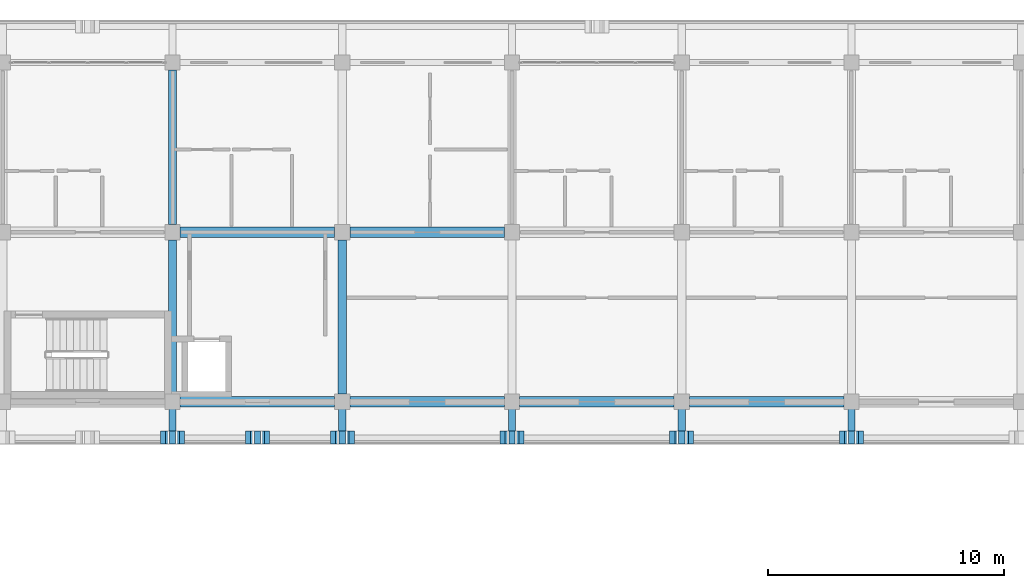
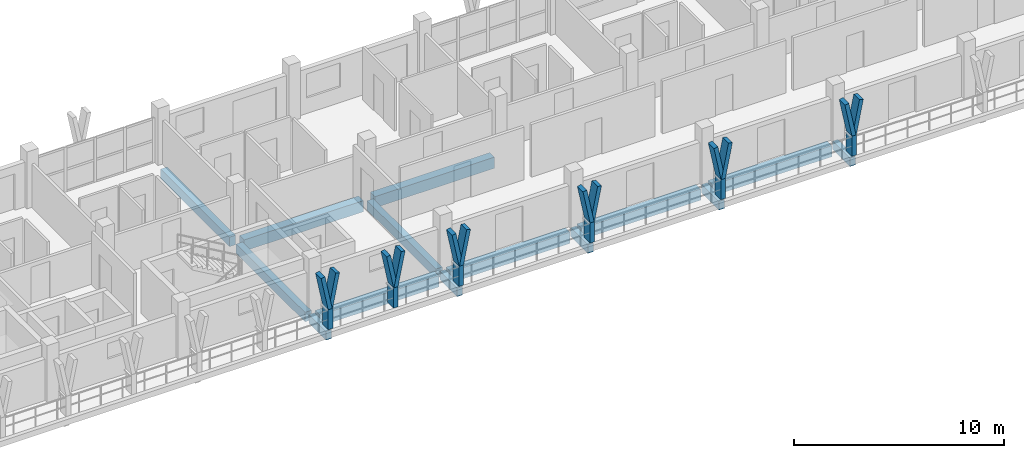
# One storey, part 17 of 75: 18 members, 14 beams.
"""IFC4 building model written with IfcOpenShell, lengths in metres."""

from ifc_helpers import new_model, si_unit, direction, frame, origin, origin_2d, place, context, subcontext, project, spatial, rectangle, extrude, material, material_profile, profile_set, type_object, element, save


model = new_model("IFC4")

# Units and contexts
model_context = context("Model", 3, precision=1e-05, world=origin(), true_north=direction((0.0, 1.0)))
body_context = subcontext(model_context, "Body", "Model", "MODEL_VIEW")
ifc_project = project(units=[si_unit("LENGTHUNIT", "METRE"), si_unit("AREAUNIT", "SQUARE_METRE"), si_unit("VOLUMEUNIT", "CUBIC_METRE"), si_unit("PLANEANGLEUNIT", "RADIAN"), si_unit("MASSUNIT", "GRAM", prefix="KILO")], contexts=[model_context])

# Site, building, storey
site_placement = place(None, origin())
site = spatial("IfcSite", under=ifc_project, at=site_placement, CompositionType="ELEMENT")
building_placement = place(site_placement, origin())
building = spatial("IfcBuilding", under=site, at=building_placement, Name="Suanplinth Sawtooth Commons", CompositionType="ELEMENT")
storey_placement = place(building_placement, frame((0.0, 0.0, 18.60009765625)))
storey = spatial("IfcBuildingStorey", under=building, at=storey_placement, Name="L05", CompositionType="ELEMENT", Elevation=18.60009765625)

# Beams
ifc_material_1 = material(Name="Precast concrete C40/50", Category="concrete")
ifc_material_profile_1 = material_profile(ifc_material_1, rectangle(XDim=0.449951171875, YDim=0.64990234375, at=origin_2d()), Name="PC-GDR 450x650")
ifc_profile_set_1 = profile_set([ifc_material_profile_1], Name="Precast concrete C40/50")
beam_type_1 = type_object("IfcBeamType", Name="B-04", PredefinedType="USERDEFINED", material=ifc_profile_set_1)
for number, where, z_axis, x_axis, name in (
    (1, (65.125, 108.0, -0.5751953125), (1.0, 0.0, 0.0), (0.0, 1.0, 0.0), "BMX-L05-A-9-15"),
    (2, (65.125, 115.199951171875, -0.5751953125), (1.0, 0.0, 0.0), (0.0, 1.0, 0.0), "BMX-L05-A-9-16"),
    (3, (72.324951171875, 108.0, -0.5751953125), (1.0, 0.0, 0.0), (0.0, 1.0, 0.0), "BMX-L05-A-10-15"),
    (4, (72.324951171875, 115.199951171875, -0.5751953125), (1.0, 0.0, 0.0), (0.0, 1.0, 0.0), "BMX-L05-A-10-16"),
    (5, (79.52490234375, 108.0, -0.5751953125), (1.0, 0.0, 0.0), (0.0, 1.0, 0.0), "BMX-L05-A-11-15"),
):
    element("IfcBeam", number, at=place(storey_placement, frame(where, z_axis=z_axis, x_axis=x_axis)), inside=storey, type_object=beam_type_1, Name=name, ObjectType="GIRDER", PredefinedType="USERDEFINED", context=body_context, shape_type="SweptSolid", body=[
        extrude(rectangle(XDim=0.449951171875, YDim=0.64990234375, at=origin_2d()), origin(), (0.0, 0.0, 1.0), 6.550048828125),
    ])
beam_placement = place(storey_placement, frame((86.72509765625, 108.0, -0.5751953125), z_axis=(1.0, 0.0, 0.0), x_axis=(0.0, 1.0, 0.0)))
element("IfcBeam", 6, at=beam_placement, inside=storey, type_object=beam_type_1, Name="BMX-L05-A-12-15", ObjectType="GIRDER", PredefinedType="USERDEFINED", context=body_context, shape_type="SweptSolid", body=[
    extrude(rectangle(XDim=0.449951171875, YDim=0.64990234375, at=origin_2d()), origin(), (0.0, 0.0, 1.0), 6.5498046875),
])
ifc_material_profile_2 = material_profile(ifc_material_1, rectangle(XDim=0.35009765625, YDim=0.550048828125, at=origin_2d()), Name="PC-BM 350x550")
ifc_profile_set_2 = profile_set([ifc_material_profile_2], Name="Precast concrete C40/50")
beam_type_2 = type_object("IfcBeamType", Name="B-06", PredefinedType="BEAM", material=ifc_profile_set_2)
for number, where, z_axis, x_axis, name in (
    (7, (64.800048828125, 108.324951171875, -0.525146484375), (0.0, 1.0, 0.0), (-1.0, 0.0, 0.0), "BMY-L05-A-9-15"),
    (8, (64.800048828125, 115.52490234375, -0.525146484375), (0.0, 1.0, 0.0), (-1.0, 0.0, 0.0), "BMY-L05-A-9-16"),
    (9, (72.0, 108.324951171875, -0.525146484375), (0.0, 1.0, 0.0), (-1.0, 0.0, 0.0), "BMY-L05-A-10-15"),
):
    element("IfcBeam", number, at=place(storey_placement, frame(where, z_axis=z_axis, x_axis=x_axis)), inside=storey, type_object=beam_type_2, Name=name, PredefinedType="BEAM", context=body_context, shape_type="SweptSolid", body=[
        extrude(rectangle(XDim=0.35009765625, YDim=0.550048828125, at=origin_2d()), origin(), (0.0, 0.0, 1.0), 6.550048828125),
    ])
ifc_material_profile_3 = material_profile(ifc_material_1, rectangle(XDim=0.300048828125, YDim=0.5, at=origin_2d()), Name="PC-BM 300x500")
ifc_profile_set_3 = profile_set([ifc_material_profile_3], Name="Precast concrete C40/50")
beam_type_3 = type_object("IfcBeamType", Name="B-07", PredefinedType="BEAM", material=ifc_profile_set_3)
for number, where, z_axis, x_axis, name in (
    (10, (64.800048828125, 108.0, -0.43017578125), (0.0, -1.0, 0.0), (1.0, 0.0, 0.0), "Balcony Outrigger L05-A-S-9"),
    (11, (72.0, 108.0, -0.43017578125), (0.0, -1.0, 0.0), (1.0, 0.0, 0.0), "Balcony Outrigger L05-A-S-10"),
    (12, (79.199951171875, 108.0, -0.43017578125), (0.0, -1.0, 0.0), (1.0, 0.0, 0.0), "Balcony Outrigger L05-A-S-11"),
    (13, (86.39990234375, 108.0, -0.43017578125), (0.0, -1.0, 0.0), (1.0, 0.0, 0.0), "Balcony Outrigger L05-A-S-12"),
    (14, (93.60009765625, 108.0, -0.43017578125), (0.0, -1.0, 0.0), (1.0, 0.0, 0.0), "Balcony Outrigger L05-A-S-13"),
):
    element("IfcBeam", number, at=place(storey_placement, frame(where, z_axis=z_axis, x_axis=x_axis)), inside=storey, type_object=beam_type_3, Name=name, PredefinedType="BEAM", context=body_context, shape_type="SweptSolid", body=[
        extrude(rectangle(XDim=0.300048828125, YDim=0.5, at=origin_2d()), origin(), (0.0, 0.0, 1.0), 1.639892578125),
    ])

# Members
ifc_material_2 = material(Name="Pigmented precast concrete C40/50", Category="concrete")
ifc_material_profile_4 = material_profile(ifc_material_2, rectangle(XDim=0.260009765625, YDim=0.550048828125, at=origin_2d()), Name="PC-FIN 260x550")
ifc_profile_set_4 = profile_set([ifc_material_profile_4], Name="Pigmented precast concrete C40/50")
member_type_1 = type_object("IfcMemberType", Name="M-09", PredefinedType="USERDEFINED", material=ifc_profile_set_4)
for number, where, z_axis, x_axis, name in (
    (15, (64.800048828125, 106.47998046875, 0.0), (0.0, 0.0, 1.0), (1.0, 0.0, 0.0), "Y-Blade Stem L05-A-S-17"),
    (16, (68.39990234375, 106.47998046875, 0.0), (0.0, 0.0, 1.0), (1.0, 0.0, 0.0), "Y-Blade Stem L05-A-S-18"),
    (17, (72.0, 106.47998046875, 0.0), (0.0, 0.0, 1.0), (1.0, 0.0, 0.0), "Y-Blade Stem L05-A-S-19"),
    (18, (79.199951171875, 106.47998046875, 0.0), (0.0, 0.0, 1.0), (1.0, 0.0, 0.0), "Y-Blade Stem L05-A-S-20"),
    (19, (86.39990234375, 106.47998046875, 0.0), (0.0, 0.0, 1.0), (1.0, 0.0, 0.0), "Y-Blade Stem L05-A-S-21"),
    (20, (93.60009765625, 106.47998046875, 0.0), (0.0, 0.0, 1.0), (1.0, 0.0, 0.0), "Y-Blade Stem L05-A-S-22"),
):
    element("IfcMember", number, at=place(storey_placement, frame(where, z_axis=z_axis, x_axis=x_axis)), inside=storey, type_object=member_type_1, Name=name, ObjectType="SHADING FIN", PredefinedType="USERDEFINED", context=body_context, shape_type="SweptSolid", body=[
        extrude(rectangle(XDim=0.260009765625, YDim=0.550048828125, at=origin_2d()), origin(), (0.0, 0.0, 1.0), 1.169921875),
    ])
ifc_material_profile_5 = material_profile(ifc_material_2, rectangle(XDim=0.219970703125, YDim=0.550048828125, at=origin_2d()), Name="PC-FIN 220x550")
ifc_profile_set_5 = profile_set([ifc_material_profile_5], Name="Pigmented precast concrete C40/50")
member_type_2 = type_object("IfcMemberType", Name="M-10", PredefinedType="USERDEFINED", material=ifc_profile_set_5)
for number, where, z_axis, x_axis, name in (
    (21, (64.800048828125, 106.47998046875, 1.1298828125), (-0.196530428008, 0.0, 0.98049772609), (0.98049772609, 0.0, 0.196530428008), "Y-Blade Arm L L05-A-S-17"),
    (22, (64.800048828125, 106.47998046875, 1.1298828125), (0.196415357203, 0.0, 0.980520783795), (-0.980520783795, 0.0, 0.196415357203), "Y-Blade Arm R L05-A-S-17"),
    (23, (68.39990234375, 106.47998046875, 1.1298828125), (-0.196415357203, 0.0, 0.980520783795), (0.980520783795, 0.0, 0.196415357203), "Y-Blade Arm L L05-A-S-18"),
    (24, (68.39990234375, 106.47998046875, 1.1298828125), (0.196530428008, 0.0, 0.98049772609), (-0.98049772609, 0.0, 0.196530428008), "Y-Blade Arm R L05-A-S-18"),
    (25, (72.0, 106.47998046875, 1.1298828125), (-0.196530428008, 0.0, 0.98049772609), (0.98049772609, 0.0, 0.196530428008), "Y-Blade Arm L L05-A-S-19"),
    (26, (72.0, 106.47998046875, 1.1298828125), (0.196530428008, 0.0, 0.98049772609), (-0.98049772609, 0.0, 0.196530428008), "Y-Blade Arm R L05-A-S-19"),
    (27, (79.199951171875, 106.47998046875, 1.1298828125), (-0.196415357203, 0.0, 0.980520783795), (0.980520783795, 0.0, 0.196415357203), "Y-Blade Arm L L05-A-S-20"),
    (28, (79.199951171875, 106.47998046875, 1.1298828125), (0.196530428008, 0.0, 0.98049772609), (-0.98049772609, 0.0, 0.196530428008), "Y-Blade Arm R L05-A-S-20"),
    (29, (86.39990234375, 106.47998046875, 1.1298828125), (-0.196415357203, 0.0, 0.980520783795), (0.980520783795, 0.0, 0.196415357203), "Y-Blade Arm L L05-A-S-21"),
    (30, (86.39990234375, 106.47998046875, 1.1298828125), (0.196530428008, 0.0, 0.98049772609), (-0.98049772609, 0.0, 0.196530428008), "Y-Blade Arm R L05-A-S-21"),
    (31, (93.60009765625, 106.47998046875, 1.1298828125), (-0.196530428008, 0.0, 0.98049772609), (0.98049772609, 0.0, 0.196530428008), "Y-Blade Arm L L05-A-S-22"),
    (32, (93.60009765625, 106.47998046875, 1.1298828125), (0.196415357203, 0.0, 0.980520783795), (-0.980520783795, 0.0, 0.196415357203), "Y-Blade Arm R L05-A-S-22"),
):
    element("IfcMember", number, at=place(storey_placement, frame(where, z_axis=z_axis, x_axis=x_axis)), inside=storey, type_object=member_type_2, Name=name, ObjectType="SHADING FIN", PredefinedType="USERDEFINED", context=body_context, shape_type="SweptSolid", body=[
        extrude(rectangle(XDim=0.219970703125, YDim=0.550048828125, at=origin_2d()), origin(), (0.0, 0.0, 1.0), 2.039794921875),
    ])

save(model, "model.ifc")
